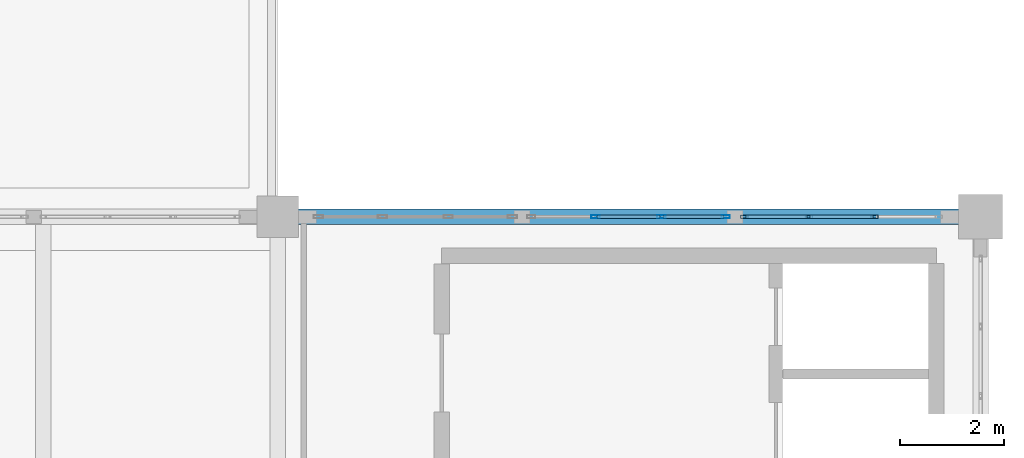
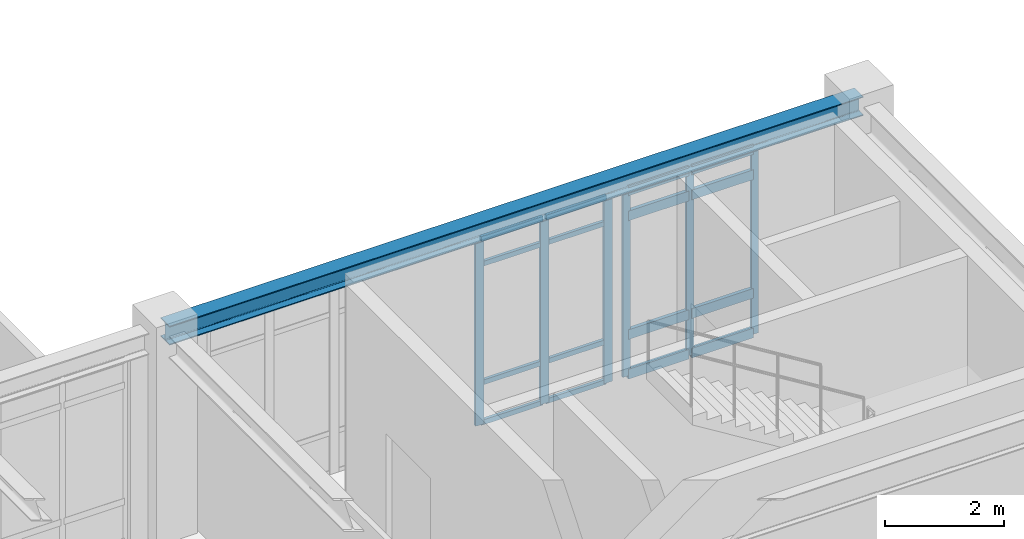
# One storey, part 37 of 55: 22 members, 1 beam, 2 elements without a shape of their own.
"""IFC4 building model written with IfcOpenShell, lengths in metres."""

import ifcopenshell
import ifcopenshell.guid

model = None  # the IFC model being written
_history = None  # IfcOwnerHistory: only IFC2X3 demands one
_inside = {}  # id of a spatial element -> (the spatial element, [elements in it])
_under = {}  # id of a project, library or spatial element -> (it, [spatial elements below it])
_declared = {}  # id of a project -> (the project, [libraries it declares])
_typed = {}  # id of a type object -> (the type object, [elements of that type])
_made_of = {}  # id of a material, layer set ... -> (it, [elements and type objects made of it])


def new_model(schema):
    """Start an empty IFC model of exactly this schema.

    Asked for "IFC4X3", IfcOpenShell would pick the latest addendum, in which some entities
    have other attributes; the version numbers below select the first issue.
    IFC2X3 requires an IfcOwnerHistory on every rooted entity: one is made here for all.
    """
    global model, _history
    if schema == "IFC4X3":
        model = ifcopenshell.file(schema_version=(4, 3, 0, 0))
    else:
        model = ifcopenshell.file(schema=schema)
    _inside.clear()
    _under.clear()
    _declared.clear()
    _typed.clear()
    _made_of.clear()
    _history = None
    if model.schema == "IFC2X3":
        org = make("IfcOrganization", Name="unknown")
        user = make(
            "IfcPersonAndOrganization",
            ThePerson=make("IfcPerson", FamilyName="unknown"),
            TheOrganization=org,
        )
        app = make(
            "IfcApplication",
            ApplicationDeveloper=org,
            Version="unknown",
            ApplicationFullName="unknown",
            ApplicationIdentifier="unknown",
        )
        _history = make(
            "IfcOwnerHistory",
            OwningUser=user,
            OwningApplication=app,
            ChangeAction="ADDED",
            CreationDate=0,
        )
    return model


def make(cls, **values):
    """One entity of the class cls with the attributes given. An attribute that is None is left unset."""
    return model.create_entity(
        cls, **{name: value for name, value in values.items() if value is not None}
    )


def rooted(cls, **values):
    """An entity with a GlobalId (a new one), such as an element, a storey or a relation."""
    return make(cls, GlobalId=ifcopenshell.guid.new(), OwnerHistory=_history, **values)


def si_unit(unit_type, name, prefix=None):
    """IfcSIUnit, for example si_unit("LENGTHUNIT", "METRE", prefix="MILLI")."""
    return make("IfcSIUnit", UnitType=unit_type, Prefix=prefix, Name=name)


def assignment(units):
    """IfcUnitAssignment: the units of a project."""
    return None if units is None else make("IfcUnitAssignment", Units=units)


def point(xyz):
    """IfcCartesianPoint."""
    return None if xyz is None else make("IfcCartesianPoint", Coordinates=xyz)


def direction(xyz):
    """IfcDirection."""
    return None if xyz is None else make("IfcDirection", DirectionRatios=xyz)


def frame(location, z_axis=None, x_axis=None):
    """IfcAxis2Placement3D, a coordinate frame: its origin and axes. An axis left out is left unset."""
    return make(
        "IfcAxis2Placement3D",
        Location=point(location),
        Axis=direction(z_axis),
        RefDirection=direction(x_axis),
    )


def frame_2d(location, x_axis=None):
    """IfcAxis2Placement2D, a coordinate frame in the plane: its origin and x axis."""
    return make(
        "IfcAxis2Placement2D", Location=point(location), RefDirection=direction(x_axis)
    )


def origin():
    """The frame at (0, 0, 0) with its axes left unset."""
    return frame((0.0, 0.0, 0.0))


def origin_2d():
    """The frame at (0, 0) in the plane with its x axis left unset."""
    return frame_2d((0.0, 0.0))


def place(relative_to, where):
    """IfcLocalPlacement: puts the frame where relative to a parent placement (None: the world)."""
    return make(
        "IfcLocalPlacement", PlacementRelTo=relative_to, RelativePlacement=where
    )


def context(
    kind, dimensions, precision=None, world=None, true_north=None, identifier=None
):
    """IfcGeometricRepresentationContext, for example the 3D "Model" context."""
    return make(
        "IfcGeometricRepresentationContext",
        ContextIdentifier=identifier,
        ContextType=kind,
        CoordinateSpaceDimension=dimensions,
        Precision=precision,
        WorldCoordinateSystem=world,
        TrueNorth=true_north,
    )


def subcontext(parent, identifier, kind, view, scale=None):
    """IfcGeometricRepresentationSubContext, for example "Body" below "Model"."""
    return make(
        "IfcGeometricRepresentationSubContext",
        ContextIdentifier=identifier,
        ContextType=kind,
        ParentContext=parent,
        TargetScale=scale,
        TargetView=view,
    )


def project(units=None, contexts=None):
    """IfcProject with its units and contexts."""
    return rooted(
        "IfcProject",
        Name="project",
        RepresentationContexts=contexts,
        UnitsInContext=assignment(units),
    )


def spatial(cls, under=None, at=None, **own):
    """A site, building, storey or space (cls), placed at a placement, below another one or the project."""
    s = rooted(cls, ObjectPlacement=at, **own)
    if under is not None:
        _under.setdefault(under.id(), (under, []))[1].append(s)
    return s


def profile(cls, at=None, kind="AREA", **sizes):
    """A parametric profile (cls). Its sizes go by their IFC names, for example OverallWidth=200.0."""
    return make(cls, ProfileType=kind, Position=at, **sizes)


def hollow_rectangle(**sizes):
    """IfcRectangleHollowProfileDef."""
    return profile("IfcRectangleHollowProfileDef", **sizes)


def i_section(**sizes):
    """IfcIShapeProfileDef."""
    return profile("IfcIShapeProfileDef", **sizes)


def extrude(swept, where, along, depth):
    """IfcExtrudedAreaSolid: the profile swept, set in the frame where, extruded along a direction by depth."""
    return make(
        "IfcExtrudedAreaSolid",
        SweptArea=swept,
        Position=where,
        ExtrudedDirection=direction(along),
        Depth=depth,
    )


def shape(context_of_items, identifier, shape_type, items):
    """IfcShapeRepresentation: the items that make up one representation, for example the "Body"."""
    return make(
        "IfcShapeRepresentation",
        ContextOfItems=context_of_items,
        RepresentationIdentifier=identifier,
        RepresentationType=shape_type,
        Items=items,
    )


def material(Name=None, Category=None):
    """IfcMaterial."""
    return make("IfcMaterial", Name=Name, Category=Category)


def layer(
    of_material, thickness, ventilated=None, Name=None, Category=None, Priority=None
):
    """IfcMaterialLayer: one layer of a wall or slab, of a material (None: an air gap)."""
    return make(
        "IfcMaterialLayer",
        Material=of_material,
        LayerThickness=thickness,
        IsVentilated=ventilated,
        Name=Name,
        Category=Category,
        Priority=Priority,
    )


def layer_set(layers, Name=None):
    """IfcMaterialLayerSet."""
    return make("IfcMaterialLayerSet", MaterialLayers=layers, LayerSetName=Name)


def material_profile(
    of_material, cross_section, Name=None, Category=None, Priority=None
):
    """IfcMaterialProfile: a cross section and its material."""
    return make(
        "IfcMaterialProfile",
        Name=Name,
        Material=of_material,
        Profile=cross_section,
        Priority=Priority,
        Category=Category,
    )


def profile_set(profiles, Name=None, composite=None):
    """IfcMaterialProfileSet."""
    return make(
        "IfcMaterialProfileSet",
        Name=Name,
        MaterialProfiles=profiles,
        CompositeProfile=composite,
    )


def made_of(thing, what):
    """Note that an element or type object is made of a material, layer set ...; save() writes the relation."""
    if what is not None:
        _made_of.setdefault(what.id(), (what, []))[1].append(thing)
    return thing


def type_object(cls, material=None, **own):
    """A type object (cls), such as IfcWallType, which elements share."""
    return made_of(rooted(cls, **own), material)


def element(
    cls,
    number,
    at=None,
    inside=None,
    cuts=None,
    type_object=None,
    material=None,
    context=None,
    identifier="Body",
    shape_type=None,
    held_by="IfcProductDefinitionShape",
    body=None,
    shapes=None,
    **own,
):
    """One element of the class cls, such as IfcWall. Its Tag is "e" and its number.

    at: its placement. inside: the storey or other place that contains it. cuts: it is an
    opening in that element (IfcRelVoidsElement). A single representation is given by context,
    identifier, shape_type and body (its items); several are given by shapes. held_by: the class
    of the entity that holds the representations. save() writes the other relations.
    """
    e = rooted(cls, Tag="e%d" % number, ObjectPlacement=at, **own)
    if body is not None:
        shapes = [shape(context, identifier, shape_type, body)]
    if shapes is not None:
        e.Representation = make(held_by, Representations=shapes)
    if inside is not None:
        _inside.setdefault(inside.id(), (inside, []))[1].append(e)
    if cuts is not None:
        rooted(
            "IfcRelVoidsElement", RelatingBuildingElement=cuts, RelatedOpeningElement=e
        )
    if type_object is not None:
        _typed.setdefault(type_object.id(), (type_object, []))[1].append(e)
    return made_of(e, material)


def aggregate(whole, parts):
    """IfcRelAggregates: a whole, such as a stair, and the parts it consists of."""
    return rooted("IfcRelAggregates", RelatingObject=whole, RelatedObjects=parts)


def save(model, path):
    """Write the relations noted so far, then the file.

    IfcRelAggregates (storeys below a building ...), IfcRelContainedInSpatialStructure (elements
    in a storey), IfcRelDefinesByType, IfcRelAssociatesMaterial and IfcRelDeclares: one each for
    every whole, place, type object, material and project.
    """
    for whole, parts in _under.values():
        aggregate(whole, parts)
    for where, things in _inside.values():
        rooted(
            "IfcRelContainedInSpatialStructure",
            RelatedElements=things,
            RelatingStructure=where,
        )
    for kind, things in _typed.values():
        rooted("IfcRelDefinesByType", RelatedObjects=things, RelatingType=kind)
    for what, things in _made_of.values():
        rooted("IfcRelAssociatesMaterial", RelatedObjects=things, RelatingMaterial=what)
    for by, libraries in _declared.values():
        rooted("IfcRelDeclares", RelatingContext=by, RelatedDefinitions=libraries)
    model.write(path)


model = new_model("IFC4")

# Units and contexts
model_context = context("Model", 3, precision=1e-05, world=origin(), true_north=direction((0.0, 1.0)))
body_context = subcontext(model_context, "Body", "Model", "MODEL_VIEW")
ifc_project = project(units=[si_unit("LENGTHUNIT", "METRE"), si_unit("AREAUNIT", "SQUARE_METRE"), si_unit("VOLUMEUNIT", "CUBIC_METRE"), si_unit("PLANEANGLEUNIT", "RADIAN"), si_unit("MASSUNIT", "GRAM", prefix="KILO")], contexts=[model_context])

# Site, building, storey
site_placement = place(None, origin())
site = spatial("IfcSite", under=ifc_project, at=site_placement, CompositionType="ELEMENT")
building_placement = place(site_placement, origin())
building = spatial("IfcBuilding", under=site, at=building_placement, Name="Fikremerkos Civic Library", CompositionType="ELEMENT")
storey_placement = place(building_placement, frame((0.0, 0.0, 18.89990234375)))
storey = spatial("IfcBuildingStorey", under=building, at=storey_placement, Name="L04", CompositionType="ELEMENT", Elevation=18.89990234375)

# Curtain wall, members
ifc_material_1 = material(Name="Anodized aluminium Frame", Category="aluminium")
ifc_layer_1 = layer(ifc_material_1, 0.159912109375, Name="Anodized aluminium Frame")
ifc_layer_set_1 = layer_set([ifc_layer_1], Name="Anodized aluminium Frame")
curtain_wall_type_1 = type_object("IfcCurtainWallType", Name="Unitised curtain wall CW-14 4100x3200", PredefinedType="USERDEFINED", material=ifc_layer_set_1)
curtain_wall_1_placement = place(storey_placement, origin())
curtain_wall_1 = element("IfcCurtainWall", 1, at=curtain_wall_1_placement, inside=storey, type_object=curtain_wall_type_1, Name="Unitised curtain wall CW-14 L04 #248", ObjectType="UNITISED CURTAIN WALL", PredefinedType="USERDEFINED")
ifc_material_profile_1 = material_profile(ifc_material_1, hollow_rectangle(XDim=0.06005859375, YDim=0.159912109375, WallThickness=0.00390625, at=origin_2d()), Name="ALU 160x60x4")
ifc_profile_set_1 = profile_set([ifc_material_profile_1], Name="Anodized aluminium Frame")
member_type_1 = type_object("IfcMemberType", Name="Curtain mullion CWM-02 ALU 160x60x4", PredefinedType="MULLION", material=ifc_profile_set_1)
member_1_placement = place(storey_placement, frame((106.305419921875, 31.199951171875, 0.0), z_axis=(0.0, 0.0, 1.0), x_axis=(0.0, 1.0, 0.0)))
member_1 = element("IfcMember", 2, at=member_1_placement, type_object=member_type_1, Name="CW-14 mullion 2", PredefinedType="MULLION", context=body_context, shape_type="SweptSolid", body=[
    extrude(hollow_rectangle(XDim=0.06005859375, YDim=0.159912109375, WallThickness=0.00390625, at=origin_2d()), origin(), (0.0, 0.0, 1.0), 3.840087890625),
])
member_2_placement = place(storey_placement, frame((107.569580078125, 31.199951171875, 0.0), z_axis=(0.0, 0.0, 1.0), x_axis=(0.0, 1.0, 0.0)))
member_2 = element("IfcMember", 3, at=member_2_placement, type_object=member_type_1, Name="CW-14 mullion 3", PredefinedType="MULLION", context=body_context, shape_type="SweptSolid", body=[
    extrude(hollow_rectangle(XDim=0.06005859375, YDim=0.159912109375, WallThickness=0.00390625, at=origin_2d()), origin(), (0.0, 0.0, 1.0), 3.840087890625),
])
member_3_placement = place(storey_placement, frame((108.803955078125, 31.199951171875, 0.0), z_axis=(0.0, 0.0, 1.0), x_axis=(0.0, 1.0, 0.0)))
member_3 = element("IfcMember", 4, at=member_3_placement, type_object=member_type_1, Name="CW-14 mullion 4", PredefinedType="MULLION", context=body_context, shape_type="SweptSolid", body=[
    extrude(hollow_rectangle(XDim=0.06005859375, YDim=0.159912109375, WallThickness=0.00390625, at=origin_2d()), origin(), (0.0, 0.0, 1.0), 3.840087890625),
])

ifc_layer_2 = layer(ifc_material_1, 0.159912109375, Name="Anodized aluminium Frame")
ifc_layer_set_2 = layer_set([ifc_layer_2], Name="Anodized aluminium Frame")
curtain_wall_type_2 = type_object("IfcCurtainWallType", Name="Unitised curtain wall CW-15 2900x3600", PredefinedType="USERDEFINED", material=ifc_layer_set_2)
curtain_wall_2_placement = place(storey_placement, origin())
curtain_wall_2 = element("IfcCurtainWall", 5, at=curtain_wall_2_placement, inside=storey, type_object=curtain_wall_type_2, Name="Unitised curtain wall CW-15 L04 #249", ObjectType="UNITISED CURTAIN WALL", PredefinedType="USERDEFINED")
ifc_material_profile_2 = material_profile(ifc_material_1, hollow_rectangle(XDim=0.06005859375, YDim=0.139892578125, WallThickness=0.00390625, at=origin_2d()), Name="ALU 140x60x4")
ifc_profile_set_2 = profile_set([ifc_material_profile_2], Name="Anodized aluminium Frame")
member_type_2 = type_object("IfcMemberType", Name="Curtain mullion CWM-03 ALU 140x60x4", PredefinedType="MULLION", material=ifc_profile_set_2)
member_4_placement = place(storey_placement, frame((109.1640625, 31.199951171875, 0.0), z_axis=(0.0, 0.0, 1.0), x_axis=(0.0, 1.0, 0.0)))
member_4 = element("IfcMember", 6, at=member_4_placement, type_object=member_type_2, Name="CW-15 mullion 1", PredefinedType="MULLION", context=body_context, shape_type="SweptSolid", body=[
    extrude(hollow_rectangle(XDim=0.06005859375, YDim=0.139892578125, WallThickness=0.00390625, at=origin_2d()), origin(), (0.0, 0.0, 1.0), 3.840087890625),
])
member_5_placement = place(storey_placement, frame((110.3984375, 31.199951171875, 0.0), z_axis=(0.0, 0.0, 1.0), x_axis=(0.0, 1.0, 0.0)))
member_5 = element("IfcMember", 7, at=member_5_placement, type_object=member_type_2, Name="CW-15 mullion 2", PredefinedType="MULLION", context=body_context, shape_type="SweptSolid", body=[
    extrude(hollow_rectangle(XDim=0.06005859375, YDim=0.139892578125, WallThickness=0.00390625, at=origin_2d()), origin(), (0.0, 0.0, 1.0), 3.840087890625),
])
member_6_placement = place(storey_placement, frame((111.66259765625, 31.199951171875, 0.0), z_axis=(0.0, 0.0, 1.0), x_axis=(0.0, 1.0, 0.0)))
member_6 = element("IfcMember", 8, at=member_6_placement, type_object=member_type_2, Name="CW-15 mullion 3", PredefinedType="MULLION", context=body_context, shape_type="SweptSolid", body=[
    extrude(hollow_rectangle(XDim=0.06005859375, YDim=0.139892578125, WallThickness=0.00390625, at=origin_2d()), origin(), (0.0, 0.0, 1.0), 3.840087890625),
])

# Member
ifc_material_profile_3 = material_profile(ifc_material_1, hollow_rectangle(XDim=0.06005859375, YDim=0.10009765625, WallThickness=0.00390625, at=origin_2d()), Name="ALU 100x60x4")
ifc_profile_set_3 = profile_set([ifc_material_profile_3], Name="Anodized aluminium Frame")
member_type_3 = type_object("IfcMemberType", Name="Curtain transom CWT-03 ALU 100x60x4", PredefinedType="USERDEFINED", material=ifc_profile_set_3)
member_7_placement = place(storey_placement, frame((106.33544921875, 31.199951171875, 0.030029296875), z_axis=(1.0, 0.0, 0.0), x_axis=(0.0, 1.0, 0.0)))
member_7 = element("IfcMember", 9, at=member_7_placement, type_object=member_type_3, Name="CW-14 transom 2.1", ObjectType="TRANSOM", PredefinedType="USERDEFINED", context=body_context, shape_type="SweptSolid", body=[
    extrude(hollow_rectangle(XDim=0.06005859375, YDim=0.10009765625, WallThickness=0.00390625, at=origin_2d()), origin(), (0.0, 0.0, 1.0), 1.2041015625),
])

member_8_placement = place(storey_placement, frame((106.33544921875, 31.199951171875, 0.85009765625), z_axis=(1.0, 0.0, 0.0), x_axis=(0.0, 1.0, 0.0)))
member_8 = element("IfcMember", 10, at=member_8_placement, type_object=member_type_3, Name="CW-14 transom 2.2", ObjectType="TRANSOM", PredefinedType="USERDEFINED", context=body_context, shape_type="SweptSolid", body=[
    extrude(hollow_rectangle(XDim=0.06005859375, YDim=0.10009765625, WallThickness=0.00390625, at=origin_2d()), origin(), (0.0, 0.0, 1.0), 1.2041015625),
])

member_9_placement = place(storey_placement, frame((106.33544921875, 31.199951171875, 3.2900390625), z_axis=(1.0, 0.0, 0.0), x_axis=(0.0, 1.0, 0.0)))
member_9 = element("IfcMember", 11, at=member_9_placement, type_object=member_type_3, Name="CW-14 transom 2.3", ObjectType="TRANSOM", PredefinedType="USERDEFINED", context=body_context, shape_type="SweptSolid", body=[
    extrude(hollow_rectangle(XDim=0.06005859375, YDim=0.10009765625, WallThickness=0.00390625, at=origin_2d()), origin(), (0.0, 0.0, 1.0), 1.2041015625),
])

member_10_placement = place(storey_placement, frame((106.33544921875, 31.199951171875, 3.81005859375), z_axis=(1.0, 0.0, 0.0), x_axis=(0.0, 1.0, 0.0)))
member_10 = element("IfcMember", 12, at=member_10_placement, type_object=member_type_3, Name="CW-14 transom 2.4", ObjectType="TRANSOM", PredefinedType="USERDEFINED", context=body_context, shape_type="SweptSolid", body=[
    extrude(hollow_rectangle(XDim=0.06005859375, YDim=0.10009765625, WallThickness=0.00390625, at=origin_2d()), origin(), (0.0, 0.0, 1.0), 1.2041015625),
])

member_11_placement = place(storey_placement, frame((107.599609375, 31.199951171875, 0.030029296875), z_axis=(1.0, 0.0, 0.0), x_axis=(0.0, 1.0, 0.0)))
member_11 = element("IfcMember", 13, at=member_11_placement, type_object=member_type_3, Name="CW-14 transom 3.1", ObjectType="TRANSOM", PredefinedType="USERDEFINED", context=body_context, shape_type="SweptSolid", body=[
    extrude(hollow_rectangle(XDim=0.06005859375, YDim=0.10009765625, WallThickness=0.00390625, at=origin_2d()), origin(), (0.0, 0.0, 1.0), 1.17431640625),
])

member_12_placement = place(storey_placement, frame((107.599609375, 31.199951171875, 0.85009765625), z_axis=(1.0, 0.0, 0.0), x_axis=(0.0, 1.0, 0.0)))
member_12 = element("IfcMember", 14, at=member_12_placement, type_object=member_type_3, Name="CW-14 transom 3.2", ObjectType="TRANSOM", PredefinedType="USERDEFINED", context=body_context, shape_type="SweptSolid", body=[
    extrude(hollow_rectangle(XDim=0.06005859375, YDim=0.10009765625, WallThickness=0.00390625, at=origin_2d()), origin(), (0.0, 0.0, 1.0), 1.17431640625),
])

member_13_placement = place(storey_placement, frame((107.599609375, 31.199951171875, 3.2900390625), z_axis=(1.0, 0.0, 0.0), x_axis=(0.0, 1.0, 0.0)))
member_13 = element("IfcMember", 15, at=member_13_placement, type_object=member_type_3, Name="CW-14 transom 3.3", ObjectType="TRANSOM", PredefinedType="USERDEFINED", context=body_context, shape_type="SweptSolid", body=[
    extrude(hollow_rectangle(XDim=0.06005859375, YDim=0.10009765625, WallThickness=0.00390625, at=origin_2d()), origin(), (0.0, 0.0, 1.0), 1.17431640625),
])

member_14_placement = place(storey_placement, frame((107.599609375, 31.199951171875, 3.81005859375), z_axis=(1.0, 0.0, 0.0), x_axis=(0.0, 1.0, 0.0)))
member_14 = element("IfcMember", 16, at=member_14_placement, type_object=member_type_3, Name="CW-14 transom 3.4", ObjectType="TRANSOM", PredefinedType="USERDEFINED", context=body_context, shape_type="SweptSolid", body=[
    extrude(hollow_rectangle(XDim=0.06005859375, YDim=0.10009765625, WallThickness=0.00390625, at=origin_2d()), origin(), (0.0, 0.0, 1.0), 1.17431640625),
])

aggregate(curtain_wall_1, [member_1, member_2, member_3, member_7, member_8, member_9, member_10, member_11, member_12, member_13, member_14])

ifc_material_profile_4 = material_profile(ifc_material_1, hollow_rectangle(XDim=0.070068359375, YDim=0.199951171875, WallThickness=0.0048828125, at=origin_2d()), Name="ALU 200x70x5")
ifc_profile_set_4 = profile_set([ifc_material_profile_4], Name="Anodized aluminium Frame")
member_type_4 = type_object("IfcMemberType", Name="Curtain transom CWT-04 ALU 200x70x5", PredefinedType="USERDEFINED", material=ifc_profile_set_4)
member_15_placement = place(storey_placement, frame((109.194091796875, 31.199951171875, 0.03515625), z_axis=(1.0, 0.0, 0.0), x_axis=(0.0, 1.0, 0.0)))
member_15 = element("IfcMember", 17, at=member_15_placement, type_object=member_type_4, Name="CW-15 transom 1.1", ObjectType="TRANSOM", PredefinedType="USERDEFINED", context=body_context, shape_type="SweptSolid", body=[
    extrude(hollow_rectangle(XDim=0.070068359375, YDim=0.199951171875, WallThickness=0.0048828125, at=origin_2d()), origin(), (0.0, 0.0, 1.0), 1.17431640625),
])

member_16_placement = place(storey_placement, frame((109.194091796875, 31.199951171875, 0.85009765625), z_axis=(1.0, 0.0, 0.0), x_axis=(0.0, 1.0, 0.0)))
member_16 = element("IfcMember", 18, at=member_16_placement, type_object=member_type_4, Name="CW-15 transom 1.2", ObjectType="TRANSOM", PredefinedType="USERDEFINED", context=body_context, shape_type="SweptSolid", body=[
    extrude(hollow_rectangle(XDim=0.070068359375, YDim=0.199951171875, WallThickness=0.0048828125, at=origin_2d()), origin(), (0.0, 0.0, 1.0), 1.17431640625),
])

member_17_placement = place(storey_placement, frame((109.194091796875, 31.199951171875, 3.2900390625), z_axis=(1.0, 0.0, 0.0), x_axis=(0.0, 1.0, 0.0)))
member_17 = element("IfcMember", 19, at=member_17_placement, type_object=member_type_4, Name="CW-15 transom 1.3", ObjectType="TRANSOM", PredefinedType="USERDEFINED", context=body_context, shape_type="SweptSolid", body=[
    extrude(hollow_rectangle(XDim=0.070068359375, YDim=0.199951171875, WallThickness=0.0048828125, at=origin_2d()), origin(), (0.0, 0.0, 1.0), 1.17431640625),
])

member_18_placement = place(storey_placement, frame((109.194091796875, 31.199951171875, 3.80517578125), z_axis=(1.0, 0.0, 0.0), x_axis=(0.0, 1.0, 0.0)))
member_18 = element("IfcMember", 20, at=member_18_placement, type_object=member_type_4, Name="CW-15 transom 1.4", ObjectType="TRANSOM", PredefinedType="USERDEFINED", context=body_context, shape_type="SweptSolid", body=[
    extrude(hollow_rectangle(XDim=0.070068359375, YDim=0.199951171875, WallThickness=0.0048828125, at=origin_2d()), origin(), (0.0, 0.0, 1.0), 1.17431640625),
])

member_19_placement = place(storey_placement, frame((110.42822265625, 31.199951171875, 0.03515625), z_axis=(1.0, 0.0, 0.0), x_axis=(0.0, 1.0, 0.0)))
member_19 = element("IfcMember", 21, at=member_19_placement, type_object=member_type_4, Name="CW-15 transom 2.1", ObjectType="TRANSOM", PredefinedType="USERDEFINED", context=body_context, shape_type="SweptSolid", body=[
    extrude(hollow_rectangle(XDim=0.070068359375, YDim=0.199951171875, WallThickness=0.0048828125, at=origin_2d()), origin(), (0.0, 0.0, 1.0), 1.204345703125),
])

member_20_placement = place(storey_placement, frame((110.42822265625, 31.199951171875, 0.85009765625), z_axis=(1.0, 0.0, 0.0), x_axis=(0.0, 1.0, 0.0)))
member_20 = element("IfcMember", 22, at=member_20_placement, type_object=member_type_4, Name="CW-15 transom 2.2", ObjectType="TRANSOM", PredefinedType="USERDEFINED", context=body_context, shape_type="SweptSolid", body=[
    extrude(hollow_rectangle(XDim=0.070068359375, YDim=0.199951171875, WallThickness=0.0048828125, at=origin_2d()), origin(), (0.0, 0.0, 1.0), 1.204345703125),
])

member_21_placement = place(storey_placement, frame((110.42822265625, 31.199951171875, 3.2900390625), z_axis=(1.0, 0.0, 0.0), x_axis=(0.0, 1.0, 0.0)))
member_21 = element("IfcMember", 23, at=member_21_placement, type_object=member_type_4, Name="CW-15 transom 2.3", ObjectType="TRANSOM", PredefinedType="USERDEFINED", context=body_context, shape_type="SweptSolid", body=[
    extrude(hollow_rectangle(XDim=0.070068359375, YDim=0.199951171875, WallThickness=0.0048828125, at=origin_2d()), origin(), (0.0, 0.0, 1.0), 1.204345703125),
])

member_22_placement = place(storey_placement, frame((110.42822265625, 31.199951171875, 3.80517578125), z_axis=(1.0, 0.0, 0.0), x_axis=(0.0, 1.0, 0.0)))
member_22 = element("IfcMember", 24, at=member_22_placement, type_object=member_type_4, Name="CW-15 transom 2.4", ObjectType="TRANSOM", PredefinedType="USERDEFINED", context=body_context, shape_type="SweptSolid", body=[
    extrude(hollow_rectangle(XDim=0.070068359375, YDim=0.199951171875, WallThickness=0.0048828125, at=origin_2d()), origin(), (0.0, 0.0, 1.0), 1.204345703125),
])

aggregate(curtain_wall_2, [member_4, member_5, member_6, member_15, member_16, member_17, member_18, member_19, member_20, member_21, member_22])

# Beam
ifc_material_2 = material(Name="Steel S355", Category="steel")
ifc_material_profile_5 = material_profile(ifc_material_2, i_section(OverallWidth=0.300048828125, OverallDepth=0.389892578125, WebThickness=0.010986328125, FlangeThickness=0.01904296875, FilletRadius=0.027099609375, at=origin_2d()), Name="HEA 400")
ifc_profile_set_5 = profile_set([ifc_material_profile_5], Name="Steel S355")
beam_type = type_object("IfcBeamType", Name="Primary girder BM-19 HEA 400", PredefinedType="BEAM", material=ifc_profile_set_5)
beam_placement = place(storey_placement, frame((100.199951171875, 31.199951171875, 4.045166015625), z_axis=(1.0, 0.0, 0.0), x_axis=(0.0, 1.0, 0.0)))
element("IfcBeam", 25, at=beam_placement, inside=storey, type_object=beam_type, Name="Primary girder BM-19 L04 grid G", PredefinedType="BEAM", context=body_context, shape_type="SweptSolid", body=[
    extrude(i_section(OverallWidth=0.300048828125, OverallDepth=0.389892578125, WebThickness=0.010986328125, FlangeThickness=0.01904296875, FilletRadius=0.027099609375, at=origin_2d()), origin(), (0.0, 0.0, 1.0), 13.5),
])

save(model, "model.ifc")
